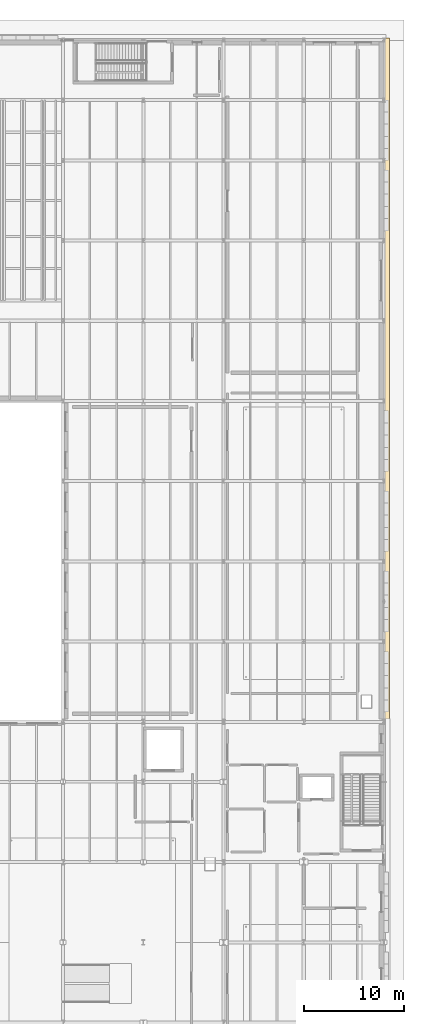
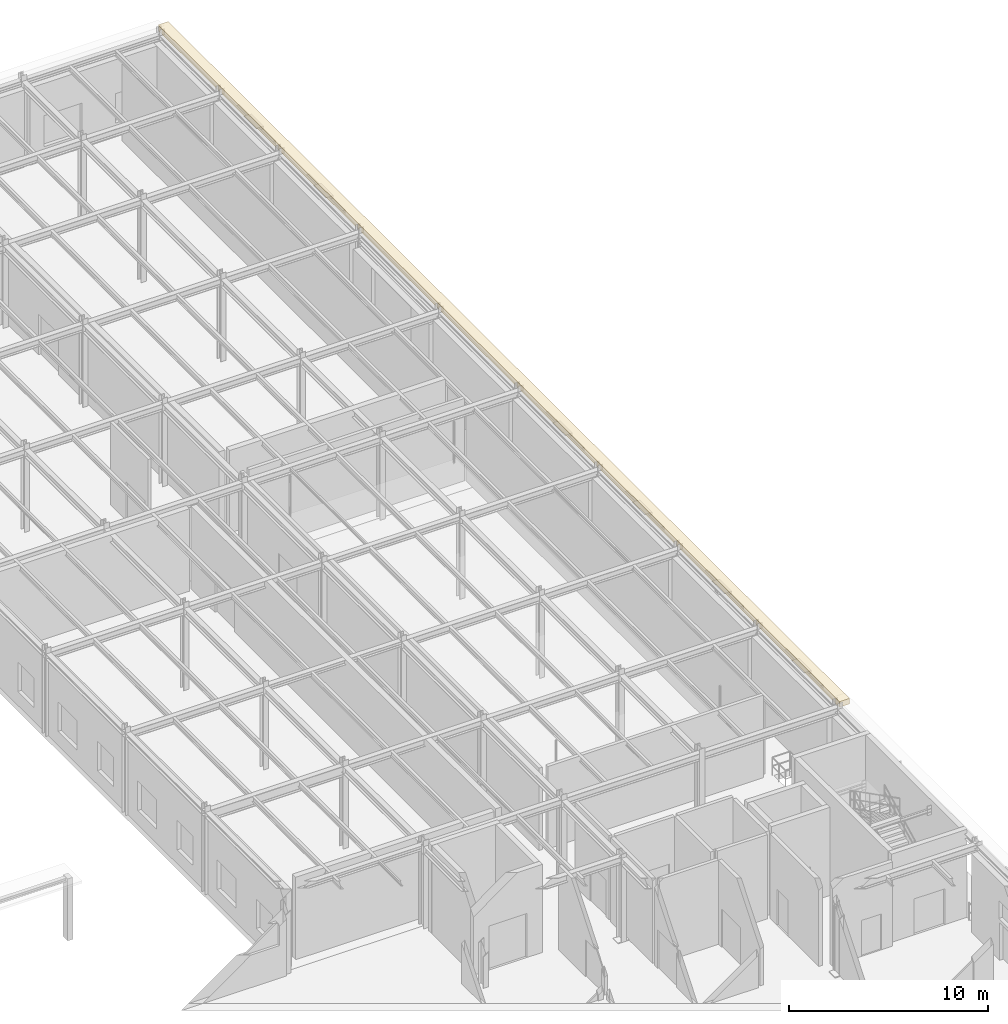
# One storey, part 126 of 129: 1 covering.
"""IFC4 building model written with IfcOpenShell, lengths in metres."""

from ifc_helpers import new_model, si_unit, direction, frame, origin, origin_2d, place, context, subcontext, project, spatial, rectangle, extrude, material, layer, layer_set, type_object, element, save


model = new_model("IFC4")

# Units and contexts
model_context = context("Model", 3, precision=1e-05, world=origin(), true_north=direction((0.0, 1.0)))
body_context = subcontext(model_context, "Body", "Model", "MODEL_VIEW")
ifc_project = project(units=[si_unit("LENGTHUNIT", "METRE"), si_unit("AREAUNIT", "SQUARE_METRE"), si_unit("VOLUMEUNIT", "CUBIC_METRE"), si_unit("PLANEANGLEUNIT", "RADIAN"), si_unit("MASSUNIT", "GRAM", prefix="KILO")], contexts=[model_context])

# Site, building, storey
site_placement = place(None, origin())
site = spatial("IfcSite", under=ifc_project, at=site_placement, CompositionType="ELEMENT")
building_placement = place(site_placement, origin())
building = spatial("IfcBuilding", under=site, at=building_placement, Name="Sundkrona Museum", CompositionType="ELEMENT")
storey_placement = place(building_placement, origin())
storey = spatial("IfcBuildingStorey", under=building, at=storey_placement, Name="L00", CompositionType="ELEMENT", Elevation=0.0)

# Covering
ifc_material = material(Name="Frost-Resistant Vitrified Stoneware Mosaic Cladding", Category="masonry")
ifc_layer = layer(ifc_material, 0.044921875)
ifc_layer_set = layer_set([ifc_layer], Name="Frost-Resistant Vitrified Stoneware Mosaic Cladding")
covering_type = type_object("IfcCoveringType", Name="COV-CLD-MOS", PredefinedType="CLADDING", material=ifc_layer_set)
covering_placement = place(storey_placement, frame((168.280029296875, 80.0, 5.10986328125), z_axis=(0.0, 0.0, 1.0), x_axis=(1.0, 0.0, 0.0)))
element("IfcCovering", 1, at=covering_placement, inside=storey, type_object=covering_type, Name="Classical Corbelled Terracotta Cornice (CRN-V5-E)", PredefinedType="CLADDING", context=body_context, shape_type="SweptSolid", body=[
    extrude(rectangle(XDim=0.580078125, YDim=68.39990234375, at=origin_2d()), origin(), (0.0, 0.0, 1.0), 0.340087890625),
])

save(model, "model.ifc")
